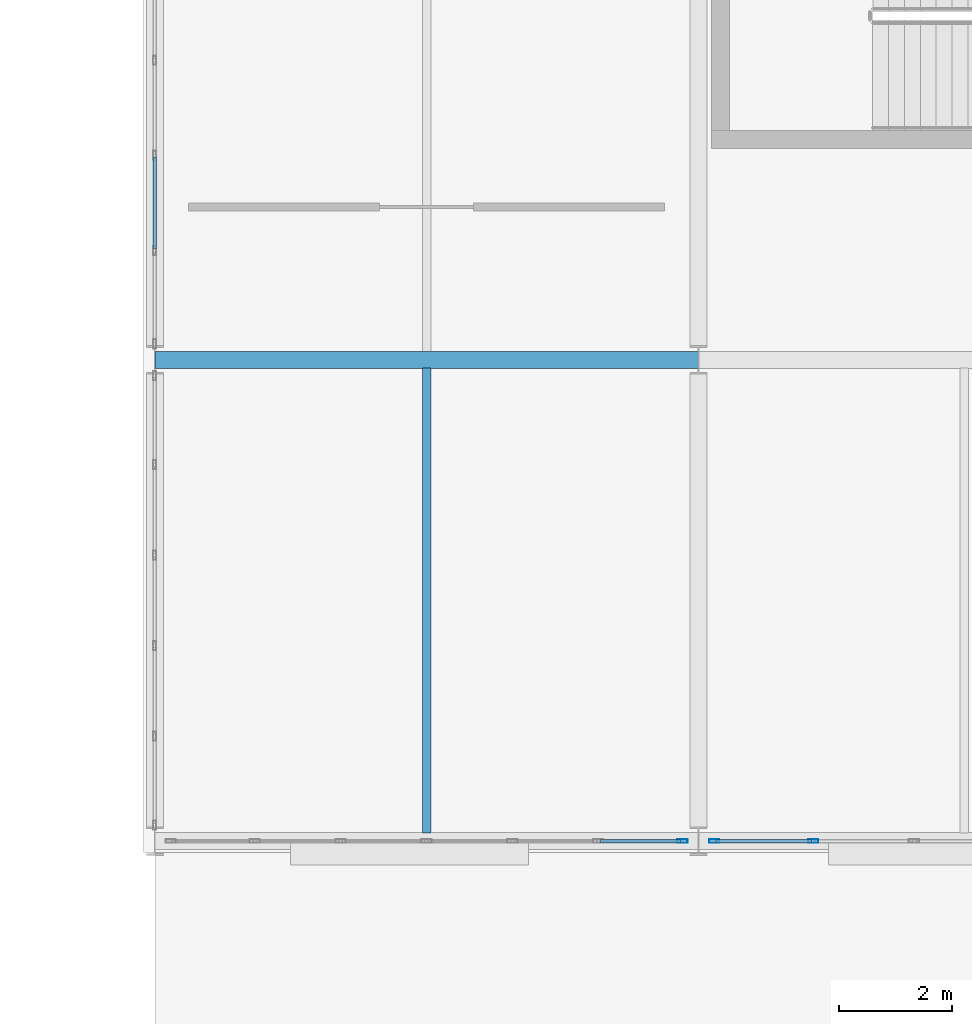
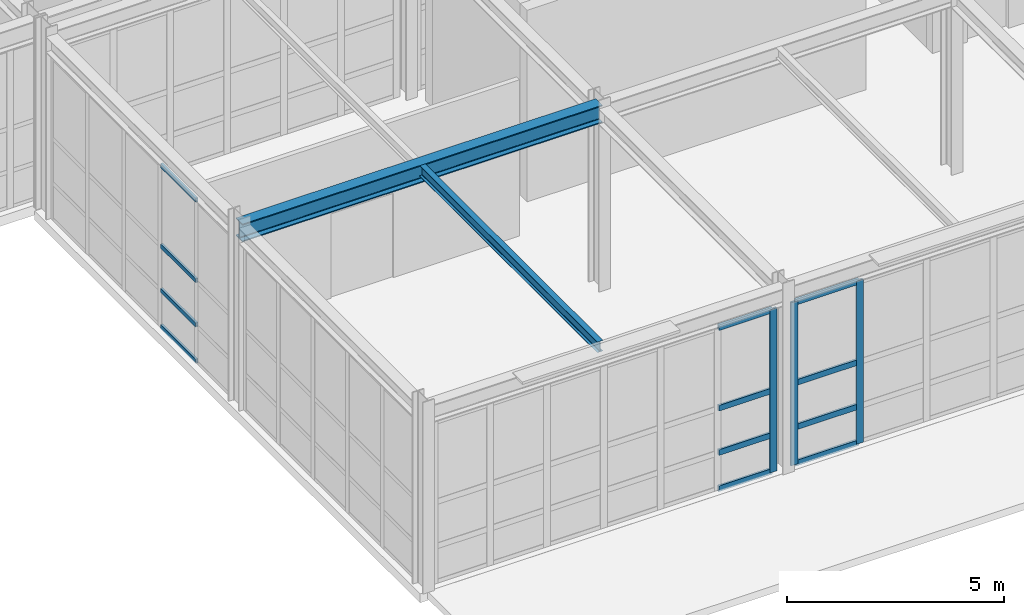
# One storey, part 91 of 210: 15 members, 2 beams, 3 elements without a shape of their own.
"""IFC4 building model written with IfcOpenShell, lengths in metres."""

from ifc_helpers import new_model, si_unit, direction, frame, origin, origin_2d, place, context, subcontext, project, spatial, hollow_rectangle, i_section, extrude, material, material_profile, profile_set, type_object, element, aggregate, save


model = new_model("IFC4")

# Units and contexts
model_context = context("Model", 3, precision=1e-05, world=origin(), true_north=direction((0.0, 1.0)))
body_context = subcontext(model_context, "Body", "Model", "MODEL_VIEW")
ifc_project = project(units=[si_unit("LENGTHUNIT", "METRE"), si_unit("AREAUNIT", "SQUARE_METRE"), si_unit("VOLUMEUNIT", "CUBIC_METRE"), si_unit("PLANEANGLEUNIT", "RADIAN"), si_unit("MASSUNIT", "GRAM", prefix="KILO")], contexts=[model_context])

# Site, building, storey
site_placement = place(None, origin())
site = spatial("IfcSite", under=ifc_project, at=site_placement, CompositionType="ELEMENT")
building_placement = place(site_placement, origin())
building = spatial("IfcBuilding", under=site, at=building_placement, Name="Kaldris Quays Convention Centre", CompositionType="ELEMENT")
storey_placement = place(building_placement, frame((0.0, 0.0, 6.0)))
storey = spatial("IfcBuildingStorey", under=building, at=storey_placement, Name="L01", CompositionType="ELEMENT", Elevation=6.0)

# Curtain wall, member
ifc_material_1 = material(Name="Anodized aluminium AW-6060 and triple glazing", Category="aluminium")
curtain_wall_type = type_object("IfcCurtainWallType", Name="UNITISED CURTAIN WALL CW02", PredefinedType="NOTDEFINED", material=ifc_material_1)
curtain_wall_1_placement = place(storey_placement, origin())
curtain_wall_1 = element("IfcCurtainWall", 1, at=curtain_wall_1_placement, inside=storey, type_object=curtain_wall_type, Name="L01 Unitised Curtain Wall CW02 185", PredefinedType="NOTDEFINED")
ifc_material_2 = material(Name="Anodized aluminium AW-6060", Category="aluminium")
ifc_material_profile_1 = material_profile(ifc_material_2, hollow_rectangle(XDim=0.06005859375, YDim=0.179931640625, WallThickness=0.0048828125, at=origin_2d()), Name="RHS 180x60x5")
ifc_profile_set_1 = profile_set([ifc_material_profile_1], Name="Anodized aluminium AW-6060")
member_type_1 = type_object("IfcMemberType", Name="CURTAIN MULLION CWM2", PredefinedType="MULLION", material=ifc_profile_set_1)
member_1_placement = place(storey_placement, frame((164.320068359375, 20.0, 0.0), z_axis=(0.0, 0.0, 1.0), x_axis=(0.0, 1.0, 0.0)))
member_1 = element("IfcMember", 2, at=member_1_placement, type_object=member_type_1, Name="CW02 mullion 7", PredefinedType="MULLION", context=body_context, shape_type="SweptSolid", body=[
    extrude(hollow_rectangle(XDim=0.06005859375, YDim=0.179931640625, WallThickness=0.0048828125, at=origin_2d()), origin(), (0.0, 0.0, 1.0), 4.60009765625),
])

# Curtain wall, members
curtain_wall_2_placement = place(storey_placement, origin())
curtain_wall_2 = element("IfcCurtainWall", 3, at=curtain_wall_2_placement, inside=storey, type_object=curtain_wall_type, Name="L01 Unitised Curtain Wall CW02 187", PredefinedType="NOTDEFINED")
member_2_placement = place(storey_placement, frame((164.8798828125, 20.0, 0.0), z_axis=(0.0, 0.0, 1.0), x_axis=(0.0, 1.0, 0.0)))
member_2 = element("IfcMember", 4, at=member_2_placement, type_object=member_type_1, Name="CW02 mullion 1", PredefinedType="MULLION", context=body_context, shape_type="SweptSolid", body=[
    extrude(hollow_rectangle(XDim=0.06005859375, YDim=0.179931640625, WallThickness=0.0048828125, at=origin_2d()), origin(), (0.0, 0.0, 1.0), 4.60009765625),
])
member_3_placement = place(storey_placement, frame((166.6298828125, 20.0, 0.0), z_axis=(0.0, 0.0, 1.0), x_axis=(0.0, 1.0, 0.0)))
member_3 = element("IfcMember", 5, at=member_3_placement, type_object=member_type_1, Name="CW02 mullion 2", PredefinedType="MULLION", context=body_context, shape_type="SweptSolid", body=[
    extrude(hollow_rectangle(XDim=0.06005859375, YDim=0.179931640625, WallThickness=0.0048828125, at=origin_2d()), origin(), (0.0, 0.0, 1.0), 4.60009765625),
])

curtain_wall_3_placement = place(storey_placement, origin())
curtain_wall_3 = element("IfcCurtainWall", 6, at=curtain_wall_3_placement, inside=storey, type_object=curtain_wall_type, Name="L01 Unitised Curtain Wall CW02 197", PredefinedType="NOTDEFINED")
ifc_material_profile_2 = material_profile(ifc_material_2, hollow_rectangle(XDim=0.06005859375, YDim=0.1201171875, WallThickness=0.00390625, at=origin_2d()), Name="RHS 120x60x4")
ifc_profile_set_2 = profile_set([ifc_material_profile_2], Name="Anodized aluminium AW-6060")
member_type_2 = type_object("IfcMemberType", Name="CURTAIN TRANSOM CWT1", PredefinedType="USERDEFINED", material=ifc_profile_set_2)
member_4_placement = place(storey_placement, frame((155.0, 30.4599609375, 0.030029296875), z_axis=(0.0, 1.0, 0.0), x_axis=(-1.0, 0.0, 0.0)))
member_4 = element("IfcMember", 7, at=member_4_placement, type_object=member_type_2, Name="CW02 transom 2.1", ObjectType="TRANSOM", PredefinedType="USERDEFINED", context=body_context, shape_type="SweptSolid", body=[
    extrude(hollow_rectangle(XDim=0.06005859375, YDim=0.1201171875, WallThickness=0.00390625, at=origin_2d()), origin(), (0.0, 0.0, 1.0), 1.6201171875),
])
member_5_placement = place(storey_placement, frame((155.0, 30.4599609375, 1.050048828125), z_axis=(0.0, 1.0, 0.0), x_axis=(-1.0, 0.0, 0.0)))
member_5 = element("IfcMember", 8, at=member_5_placement, type_object=member_type_2, Name="CW02 transom 2.2", ObjectType="TRANSOM", PredefinedType="USERDEFINED", context=body_context, shape_type="SweptSolid", body=[
    extrude(hollow_rectangle(XDim=0.06005859375, YDim=0.1201171875, WallThickness=0.00390625, at=origin_2d()), origin(), (0.0, 0.0, 1.0), 1.6201171875),
])
member_6_placement = place(storey_placement, frame((155.0, 30.4599609375, 2.300048828125), z_axis=(0.0, 1.0, 0.0), x_axis=(-1.0, 0.0, 0.0)))
member_6 = element("IfcMember", 9, at=member_6_placement, type_object=member_type_2, Name="CW02 transom 2.3", ObjectType="TRANSOM", PredefinedType="USERDEFINED", context=body_context, shape_type="SweptSolid", body=[
    extrude(hollow_rectangle(XDim=0.06005859375, YDim=0.1201171875, WallThickness=0.00390625, at=origin_2d()), origin(), (0.0, 0.0, 1.0), 1.6201171875),
])
member_7_placement = place(storey_placement, frame((155.0, 30.4599609375, 4.570068359375), z_axis=(0.0, 1.0, 0.0), x_axis=(-1.0, 0.0, 0.0)))
member_7 = element("IfcMember", 10, at=member_7_placement, type_object=member_type_2, Name="CW02 transom 2.4", ObjectType="TRANSOM", PredefinedType="USERDEFINED", context=body_context, shape_type="SweptSolid", body=[
    extrude(hollow_rectangle(XDim=0.06005859375, YDim=0.1201171875, WallThickness=0.00390625, at=origin_2d()), origin(), (0.0, 0.0, 1.0), 1.6201171875),
])
aggregate(curtain_wall_3, [member_4, member_5, member_6, member_7])

# Member
ifc_material_profile_3 = material_profile(ifc_material_2, hollow_rectangle(XDim=0.06005859375, YDim=0.159912109375, WallThickness=0.00390625, at=origin_2d()), Name="RHS 160x60x4")
ifc_profile_set_3 = profile_set([ifc_material_profile_3], Name="Anodized aluminium AW-6060")
member_type_3 = type_object("IfcMemberType", Name="CURTAIN TRANSOM CWT2", PredefinedType="USERDEFINED", material=ifc_profile_set_3)
member_8_placement = place(storey_placement, frame((162.86328125, 20.0, 0.030029296875), z_axis=(1.0, 0.0, 0.0), x_axis=(0.0, 1.0, 0.0)))
member_8 = element("IfcMember", 11, at=member_8_placement, type_object=member_type_3, Name="CW02 transom 6.1", ObjectType="TRANSOM", PredefinedType="USERDEFINED", context=body_context, shape_type="SweptSolid", body=[
    extrude(hollow_rectangle(XDim=0.06005859375, YDim=0.159912109375, WallThickness=0.00390625, at=origin_2d()), origin(), (0.0, 0.0, 1.0), 1.4267578125),
])

member_9_placement = place(storey_placement, frame((162.86328125, 20.0, 1.050048828125), z_axis=(1.0, 0.0, 0.0), x_axis=(0.0, 1.0, 0.0)))
member_9 = element("IfcMember", 12, at=member_9_placement, type_object=member_type_3, Name="CW02 transom 6.2", ObjectType="TRANSOM", PredefinedType="USERDEFINED", context=body_context, shape_type="SweptSolid", body=[
    extrude(hollow_rectangle(XDim=0.06005859375, YDim=0.159912109375, WallThickness=0.00390625, at=origin_2d()), origin(), (0.0, 0.0, 1.0), 1.4267578125),
])

member_10_placement = place(storey_placement, frame((162.86328125, 20.0, 2.300048828125), z_axis=(1.0, 0.0, 0.0), x_axis=(0.0, 1.0, 0.0)))
member_10 = element("IfcMember", 13, at=member_10_placement, type_object=member_type_3, Name="CW02 transom 6.3", ObjectType="TRANSOM", PredefinedType="USERDEFINED", context=body_context, shape_type="SweptSolid", body=[
    extrude(hollow_rectangle(XDim=0.06005859375, YDim=0.159912109375, WallThickness=0.00390625, at=origin_2d()), origin(), (0.0, 0.0, 1.0), 1.4267578125),
])

member_11_placement = place(storey_placement, frame((162.86328125, 20.0, 4.570068359375), z_axis=(1.0, 0.0, 0.0), x_axis=(0.0, 1.0, 0.0)))
member_11 = element("IfcMember", 14, at=member_11_placement, type_object=member_type_3, Name="CW02 transom 6.4", ObjectType="TRANSOM", PredefinedType="USERDEFINED", context=body_context, shape_type="SweptSolid", body=[
    extrude(hollow_rectangle(XDim=0.06005859375, YDim=0.159912109375, WallThickness=0.00390625, at=origin_2d()), origin(), (0.0, 0.0, 1.0), 1.4267578125),
])

aggregate(curtain_wall_1, [member_1, member_8, member_9, member_10, member_11])

member_12_placement = place(storey_placement, frame((164.909912109375, 20.0, 0.030029296875), z_axis=(1.0, 0.0, 0.0), x_axis=(0.0, 1.0, 0.0)))
member_12 = element("IfcMember", 15, at=member_12_placement, type_object=member_type_3, Name="CW02 transom 1.1", ObjectType="TRANSOM", PredefinedType="USERDEFINED", context=body_context, shape_type="SweptSolid", body=[
    extrude(hollow_rectangle(XDim=0.06005859375, YDim=0.159912109375, WallThickness=0.00390625, at=origin_2d()), origin(), (0.0, 0.0, 1.0), 1.690185546875),
])

member_13_placement = place(storey_placement, frame((164.909912109375, 20.0, 1.050048828125), z_axis=(1.0, 0.0, 0.0), x_axis=(0.0, 1.0, 0.0)))
member_13 = element("IfcMember", 16, at=member_13_placement, type_object=member_type_3, Name="CW02 transom 1.2", ObjectType="TRANSOM", PredefinedType="USERDEFINED", context=body_context, shape_type="SweptSolid", body=[
    extrude(hollow_rectangle(XDim=0.06005859375, YDim=0.159912109375, WallThickness=0.00390625, at=origin_2d()), origin(), (0.0, 0.0, 1.0), 1.690185546875),
])

member_14_placement = place(storey_placement, frame((164.909912109375, 20.0, 2.300048828125), z_axis=(1.0, 0.0, 0.0), x_axis=(0.0, 1.0, 0.0)))
member_14 = element("IfcMember", 17, at=member_14_placement, type_object=member_type_3, Name="CW02 transom 1.3", ObjectType="TRANSOM", PredefinedType="USERDEFINED", context=body_context, shape_type="SweptSolid", body=[
    extrude(hollow_rectangle(XDim=0.06005859375, YDim=0.159912109375, WallThickness=0.00390625, at=origin_2d()), origin(), (0.0, 0.0, 1.0), 1.690185546875),
])

member_15_placement = place(storey_placement, frame((164.909912109375, 20.0, 4.570068359375), z_axis=(1.0, 0.0, 0.0), x_axis=(0.0, 1.0, 0.0)))
member_15 = element("IfcMember", 18, at=member_15_placement, type_object=member_type_3, Name="CW02 transom 1.4", ObjectType="TRANSOM", PredefinedType="USERDEFINED", context=body_context, shape_type="SweptSolid", body=[
    extrude(hollow_rectangle(XDim=0.06005859375, YDim=0.159912109375, WallThickness=0.00390625, at=origin_2d()), origin(), (0.0, 0.0, 1.0), 1.690185546875),
])

aggregate(curtain_wall_2, [member_2, member_3, member_12, member_13, member_14, member_15])

# Beams
ifc_material_3 = material(Name="Steel S355J2", Category="steel")
ifc_material_profile_4 = material_profile(ifc_material_3, i_section(OverallWidth=0.300048828125, OverallDepth=0.5, WebThickness=0.014404296875, FlangeThickness=0.028076171875, FilletRadius=0.027099609375, at=origin_2d()), Name="HEB 500")
ifc_profile_set_4 = profile_set([ifc_material_profile_4], Name="Steel S355J2")
beam_type_1 = type_object("IfcBeamType", Name="STRUCTURAL BEAM BM06", PredefinedType="BEAM", material=ifc_profile_set_4)
beam_1_placement = place(storey_placement, frame((155.001220703125, 28.5, 4.9130859375), z_axis=(1.0, 0.0, 0.0), x_axis=(0.0, 1.0, 0.0)))
element("IfcBeam", 19, at=beam_1_placement, inside=storey, type_object=beam_type_1, Name="L01 Girder BM06 6", PredefinedType="BEAM", context=body_context, shape_type="SweptSolid", body=[
    extrude(i_section(OverallWidth=0.300048828125, OverallDepth=0.5, WebThickness=0.014404296875, FlangeThickness=0.028076171875, FilletRadius=0.027099609375, at=origin_2d()), origin(), (0.0, 0.0, 1.0), 9.597412109375),
])
ifc_material_profile_5 = material_profile(ifc_material_3, i_section(OverallWidth=0.14990234375, OverallDepth=0.300048828125, WebThickness=0.007080078125, FlangeThickness=0.0107421875, FilletRadius=0.014892578125, at=origin_2d()), Name="IPE 300")
ifc_profile_set_5 = profile_set([ifc_material_profile_5], Name="Steel S355J2")
beam_type_2 = type_object("IfcBeamType", Name="STRUCTURAL BEAM JT04", PredefinedType="JOIST", material=ifc_profile_set_5)
beam_2_placement = place(storey_placement, frame((159.800048828125, 20.14404296875, 5.012939453125), z_axis=(0.0, 1.0, 0.0), x_axis=(-1.0, 0.0, 0.0)))
element("IfcBeam", 20, at=beam_2_placement, inside=storey, type_object=beam_type_2, Name="L01 Secondary Joist JT04 1", PredefinedType="JOIST", context=body_context, shape_type="SweptSolid", body=[
    extrude(i_section(OverallWidth=0.14990234375, OverallDepth=0.300048828125, WebThickness=0.007080078125, FlangeThickness=0.0107421875, FilletRadius=0.014892578125, at=origin_2d()), origin(), (0.0, 0.0, 1.0), 8.2119140625),
])

save(model, "model.ifc")
